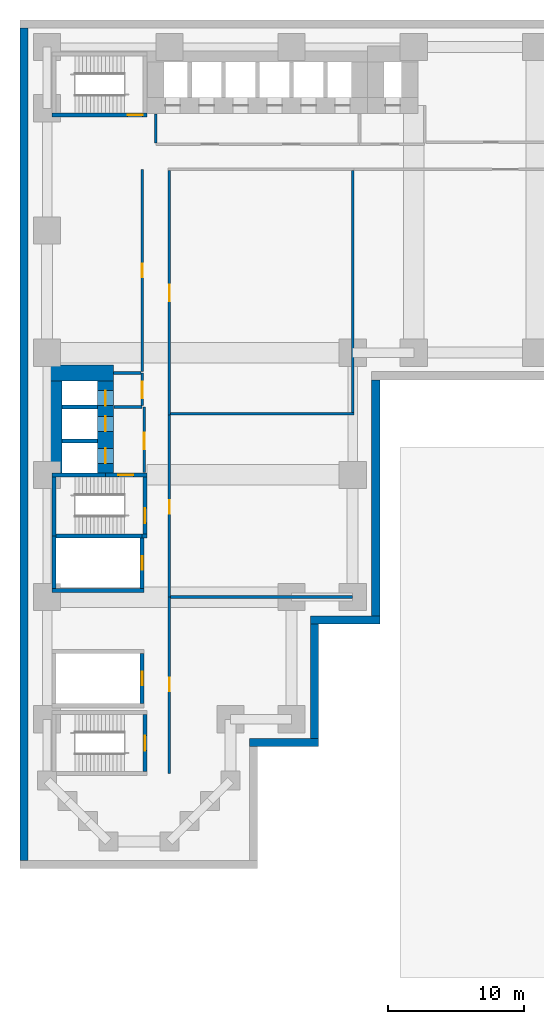
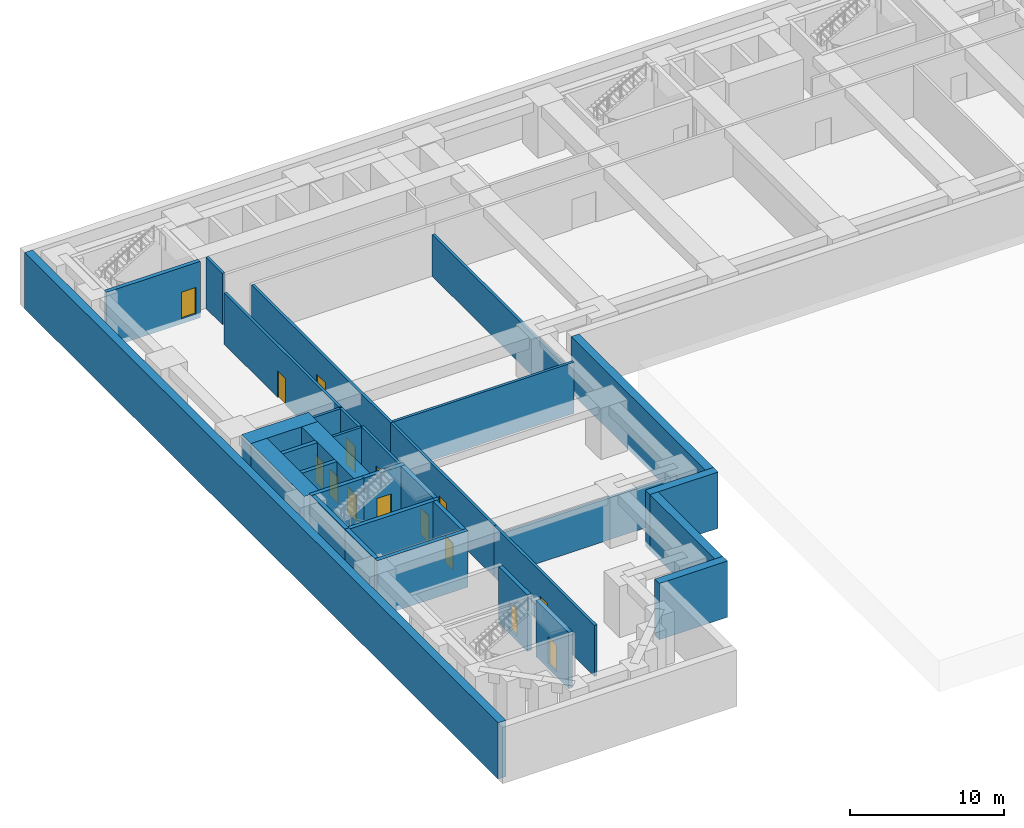
# One storey, part 4 of 12: 34 walls, 15 doors, 15 openings.
"""IFC4 building model written with IfcOpenShell, lengths in metres."""

from ifc_helpers import new_model, si_unit, direction, frame, frame_2d, origin, place, context, subcontext, project, spatial, rectangle, extrude, material, layer, layer_set, type_object, element, fill, save


model = new_model("IFC4")

# Units and contexts
model_context = context("Model", 3, precision=1e-05, world=origin(), true_north=direction((0.0, 1.0)))
body_context = subcontext(model_context, "Body", "Model", "MODEL_VIEW")
ifc_project = project(units=[si_unit("LENGTHUNIT", "METRE"), si_unit("AREAUNIT", "SQUARE_METRE"), si_unit("VOLUMEUNIT", "CUBIC_METRE"), si_unit("PLANEANGLEUNIT", "RADIAN"), si_unit("MASSUNIT", "GRAM", prefix="KILO")], contexts=[model_context])

# Site, building, storey
site_placement = place(None, origin())
site = spatial("IfcSite", under=ifc_project, at=site_placement, CompositionType="ELEMENT")
building_placement = place(site_placement, origin())
building = spatial("IfcBuilding", under=site, at=building_placement, Name="Firuza Court", CompositionType="ELEMENT")
storey_placement = place(building_placement, frame((0.0, 0.0, -4.5)))
storey = spatial("IfcBuildingStorey", under=building, at=storey_placement, Name="B1", CompositionType="ELEMENT", Elevation=-4.5)

# Walls
ifc_material_1 = material(Name="Concrete C35/45", Category="concrete")
ifc_layer_1 = layer(ifc_material_1, 1.199951171875)
ifc_layer_set_1 = layer_set([ifc_layer_1], Name="Concrete C35/45")
wall_type_1 = type_object("IfcWallType", Name="Basement core wall 1200", PredefinedType="SHEAR", material=ifc_layer_set_1)
wall_1_placement = place(storey_placement, frame((-0.10009765625, 34.5, -0.39990234375), z_axis=(0.0, 0.0, 1.0), x_axis=(1.0, 0.0, 0.0)))
element("IfcWall", 1, at=wall_1_placement, inside=storey, type_object=wall_type_1, Name="Core wall B1 012", PredefinedType="SHEAR", context=body_context, shape_type="SweptSolid", body=[
    extrude(rectangle(XDim=5.0, YDim=1.199951171875, at=frame_2d((2.5, 0.0))), origin(), (0.0, 0.0, 1.0), 4.449951171875),
])
wall_2_placement = place(storey_placement, frame((0.5, 27.0, -0.39990234375), z_axis=(0.0, 0.0, 1.0), x_axis=(0.0, 1.0, 0.0)))
element("IfcWall", 2, at=wall_2_placement, inside=storey, type_object=wall_type_1, Name="Core wall B1 031", PredefinedType="SHEAR", context=body_context, shape_type="SweptSolid", body=[
    extrude(rectangle(XDim=6.89990234375, YDim=1.199951171875, at=frame_2d((3.449951171875, 0.0))), origin(), (0.0, 0.0, 1.0), 4.449951171875),
])

# Wall, openings, doors
wall_3_placement = place(storey_placement, frame((4.300048828125, 27.14990234375, -0.39990234375), z_axis=(0.0, 0.0, 1.0), x_axis=(0.0, 1.0, 0.0)))
wall_3 = element("IfcWall", 3, at=wall_3_placement, inside=storey, type_object=wall_type_1, Name="Core wall B1 033", PredefinedType="SHEAR", context=body_context, shape_type="SweptSolid", body=[
    extrude(rectangle(XDim=6.75, YDim=1.199951171875, at=frame_2d((3.375, 0.0))), origin(), (0.0, 0.0, 1.0), 4.449951171875),
])
opening_1_placement = place(wall_3_placement, frame((3.050048828125, 0.0, 0.39990234375)))
opening_1 = element("IfcOpeningElement", 4, at=opening_1_placement, cuts=wall_3, Name="Opening LD-FL1-B1", PredefinedType="OPENING", context=body_context, shape_type="SweptSolid", body=[
    extrude(rectangle(XDim=1.10009765625, YDim=2.10009765625, at=frame_2d((0.550048828125, 1.050048828125))), frame((0.0, 0.61181640625, 0.0), z_axis=(0.0, -1.0, 0.0), x_axis=(1.0, 0.0, 0.0)), (0.0, 0.0, 1.0), 1.223876953125),
])
opening_2_placement = place(wall_3_placement, frame((0.699951171875, 0.0, 0.39990234375)))
opening_2 = element("IfcOpeningElement", 5, at=opening_2_placement, cuts=wall_3, Name="Opening LD-FL2-B1", PredefinedType="OPENING", context=body_context, shape_type="SweptSolid", body=[
    extrude(rectangle(XDim=1.10009765625, YDim=2.10009765625, at=frame_2d((0.550048828125, 1.050048828125))), frame((0.0, 0.61181640625, 0.0), z_axis=(0.0, -1.0, 0.0), x_axis=(1.0, 0.0, 0.0)), (0.0, 0.0, 1.0), 1.223876953125),
])
opening_3_placement = place(wall_3_placement, frame((4.949951171875, 0.0, 0.39990234375)))
opening_3 = element("IfcOpeningElement", 6, at=opening_3_placement, cuts=wall_3, Name="Opening LD-SL1-B1", PredefinedType="OPENING", context=body_context, shape_type="SweptSolid", body=[
    extrude(rectangle(XDim=1.10009765625, YDim=2.10009765625, at=frame_2d((0.550048828125, 1.050048828125))), frame((0.0, 0.61181640625, 0.0), z_axis=(0.0, -1.0, 0.0), x_axis=(1.0, 0.0, 0.0)), (0.0, 0.0, 1.0), 1.223876953125),
])
ifc_material_2 = material(Name="Stainless steel 1.4301 door leaf", Category="steel")
door_type_1 = type_object("IfcDoorType", Name="Lift landing door 1100", OperationType="SLIDING_TO_LEFT", PredefinedType="DOOR", material=ifc_material_2)
door_1_placement = place(opening_1_placement, origin())
door_1 = element("IfcDoor", 7, at=door_1_placement, inside=storey, type_object=door_type_1, Name="Landing door FL1", OperationType="SLIDING_TO_LEFT", OverallHeight=2.10009765625, OverallWidth=1.10009765625, PredefinedType="DOOR", context=body_context, shape_type="SweptSolid", body=[
    extrude(rectangle(XDim=1.10009765625, YDim=2.10009765625, at=frame_2d((0.550048828125, 1.050048828125))), frame((0.0, 0.02490234375, 0.0), z_axis=(0.0, -1.0, 0.0), x_axis=(1.0, 0.0, 0.0)), (0.0, 0.0, 1.0), 0.050048828125),
])
fill(opening_1, door_1)
door_2_placement = place(opening_2_placement, origin())
door_2 = element("IfcDoor", 8, at=door_2_placement, inside=storey, type_object=door_type_1, Name="Landing door FL2", OperationType="SLIDING_TO_LEFT", OverallHeight=2.10009765625, OverallWidth=1.10009765625, PredefinedType="DOOR", context=body_context, shape_type="SweptSolid", body=[
    extrude(rectangle(XDim=1.10009765625, YDim=2.10009765625, at=frame_2d((0.550048828125, 1.050048828125))), frame((0.0, 0.02490234375, 0.0), z_axis=(0.0, -1.0, 0.0), x_axis=(1.0, 0.0, 0.0)), (0.0, 0.0, 1.0), 0.050048828125),
])
fill(opening_2, door_2)
door_3_placement = place(opening_3_placement, origin())
door_3 = element("IfcDoor", 9, at=door_3_placement, inside=storey, type_object=door_type_1, Name="Landing door SL1", OperationType="SLIDING_TO_LEFT", OverallHeight=2.10009765625, OverallWidth=1.10009765625, PredefinedType="DOOR", context=body_context, shape_type="SweptSolid", body=[
    extrude(rectangle(XDim=1.10009765625, YDim=2.10009765625, at=frame_2d((0.550048828125, 1.050048828125))), frame((0.0, 0.02490234375, 0.0), z_axis=(0.0, -1.0, 0.0), x_axis=(1.0, 0.0, 0.0)), (0.0, 0.0, 1.0), 0.050048828125),
])
fill(opening_3, door_3)

# Walls
ifc_layer_2 = layer(ifc_material_1, 0.300048828125)
ifc_layer_set_2 = layer_set([ifc_layer_2], Name="Concrete C35/45")
wall_type_2 = type_object("IfcWallType", Name="Basement core wall 300", PredefinedType="SHEAR", material=ifc_layer_set_2)
wall_4_placement = place(storey_placement, frame((0.35009765625, 18.5, -0.39990234375), z_axis=(0.0, 0.0, 1.0), x_axis=(1.0, 0.0, 0.0)))
element("IfcWall", 10, at=wall_4_placement, inside=storey, type_object=wall_type_2, Name="Core wall B1 005", PredefinedType="SHEAR", context=body_context, shape_type="SweptSolid", body=[
    extrude(rectangle(XDim=6.7998046875, YDim=0.300048828125, at=frame_2d((3.39990234375, 0.0))), origin(), (0.0, 0.0, 1.0), 4.449951171875),
])
wall_5_placement = place(storey_placement, frame((0.35009765625, 22.5, -0.39990234375), z_axis=(0.0, 0.0, 1.0), x_axis=(1.0, 0.0, 0.0)))
element("IfcWall", 11, at=wall_5_placement, inside=storey, type_object=wall_type_2, Name="Core wall B1 006", PredefinedType="SHEAR", context=body_context, shape_type="SweptSolid", body=[
    extrude(rectangle(XDim=6.64990234375, YDim=0.300048828125, at=frame_2d((3.324951171875, 0.0))), origin(), (0.0, 0.0, 1.0), 4.449951171875),
])
wall_6_placement = place(storey_placement, frame((7.0, 22.5, -0.39990234375), z_axis=(0.0, 0.0, 1.0), x_axis=(1.0, 0.0, 0.0)))
element("IfcWall", 12, at=wall_6_placement, inside=storey, type_object=wall_type_2, Name="Core wall B1 007", PredefinedType="SHEAR", context=body_context, shape_type="SweptSolid", body=[
    extrude(rectangle(XDim=0.35009765625, YDim=0.300048828125, at=frame_2d((0.175048828125, 0.0))), origin(), (0.0, 0.0, 1.0), 4.449951171875),
])
wall_7_placement = place(storey_placement, frame((0.35009765625, 27.0, -0.39990234375), z_axis=(0.0, 0.0, 1.0), x_axis=(1.0, 0.0, 0.0)))
element("IfcWall", 13, at=wall_7_placement, inside=storey, type_object=wall_type_2, Name="Core wall B1 008", PredefinedType="SHEAR", context=body_context, shape_type="SweptSolid", body=[
    extrude(rectangle(XDim=3.949951171875, YDim=0.300048828125, at=frame_2d((1.97509765625, 0.0))), origin(), (0.0, 0.0, 1.0), 4.449951171875),
])

# Wall, opening, door
wall_8_placement = place(storey_placement, frame((4.300048828125, 27.0, -0.39990234375), z_axis=(0.0, 0.0, 1.0), x_axis=(1.0, 0.0, 0.0)))
wall_8 = element("IfcWall", 14, at=wall_8_placement, inside=storey, type_object=wall_type_2, Name="Core wall B1 009", PredefinedType="SHEAR", context=body_context, shape_type="SweptSolid", body=[
    extrude(rectangle(XDim=3.050048828125, YDim=0.300048828125, at=frame_2d((1.52490234375, 0.0))), origin(), (0.0, 0.0, 1.0), 4.449951171875),
])
opening_4_placement = place(wall_8_placement, frame((0.949951171875, 0.0, 0.39990234375)))
opening_4 = element("IfcOpeningElement", 15, at=opening_4_placement, cuts=wall_8, Name="Opening DB1011", PredefinedType="OPENING", context=body_context, shape_type="SweptSolid", body=[
    extrude(rectangle(XDim=1.10009765625, YDim=2.10009765625, at=frame_2d((0.550048828125, 1.050048828125))), frame((0.0, 0.162109375, 0.0), z_axis=(0.0, -1.0, 0.0), x_axis=(1.0, 0.0, 0.0)), (0.0, 0.0, 1.0), 0.323974609375),
])
ifc_material_3 = material(Name="Timber door leaf in hardwood frame", Category="wood")
door_type_2 = type_object("IfcDoorType", Name="Stair door 1100", OperationType="SINGLE_SWING_LEFT", PredefinedType="DOOR", material=ifc_material_3)
door_4_placement = place(opening_4_placement, frame((1.10009765625, 0.0, 0.0), z_axis=(0.0, 0.0, 1.0), x_axis=(-1.0, 0.0, 0.0)))
door_4 = element("IfcDoor", 16, at=door_4_placement, inside=storey, type_object=door_type_2, Name="Fire-fighting lobby door", OperationType="SINGLE_SWING_LEFT", OverallHeight=2.10009765625, OverallWidth=1.10009765625, PredefinedType="DOOR", context=body_context, shape_type="SweptSolid", body=[
    extrude(rectangle(XDim=1.10009765625, YDim=2.10009765625, at=frame_2d((0.550048828125, 1.050048828125))), frame((0.0, 0.02490234375, 0.0), z_axis=(0.0, -1.0, 0.0), x_axis=(1.0, 0.0, 0.0)), (0.0, 0.0, 1.0), 0.050048828125),
])
fill(opening_4, door_4)

# Walls
for number, where, z_axis, x_axis, name in (
    (17, (1.10009765625, 29.5, -0.39990234375), (0.0, 0.0, 1.0), (1.0, 0.0, 0.0), "Core wall B1 010"),
    (18, (1.10009765625, 32.0, -0.39990234375), (0.0, 0.0, 1.0), (1.0, 0.0, 0.0), "Core wall B1 011"),
):
    element("IfcWall", number, at=place(storey_placement, frame(where, z_axis=z_axis, x_axis=x_axis)), inside=storey, type_object=wall_type_2, Name=name, PredefinedType="SHEAR", context=body_context, shape_type="SweptSolid", body=[
        extrude(rectangle(XDim=2.599853515625, YDim=0.300048828125, at=frame_2d((1.2998046875, 0.0))), origin(), (0.0, 0.0, 1.0), 4.449951171875),
    ])

# Wall, opening, door
wall_9_placement = place(storey_placement, frame((0.35009765625, 53.5, -0.39990234375), z_axis=(0.0, 0.0, 1.0), x_axis=(1.0, 0.0, 0.0)))
wall_9 = element("IfcWall", 19, at=wall_9_placement, inside=storey, type_object=wall_type_2, Name="Core wall B1 013", PredefinedType="SHEAR", context=body_context, shape_type="SweptSolid", body=[
    extrude(rectangle(XDim=7.0, YDim=0.300048828125, at=frame_2d((3.5, 0.0))), origin(), (0.0, 0.0, 1.0), 4.449951171875),
])
opening_5_placement = place(wall_9_placement, frame((5.580078125, 0.0, 0.39990234375)))
opening_5 = element("IfcOpeningElement", 20, at=opening_5_placement, cuts=wall_9, Name="Opening DB1012", PredefinedType="OPENING", context=body_context, shape_type="SweptSolid", body=[
    extrude(rectangle(XDim=1.10009765625, YDim=2.10009765625, at=frame_2d((0.550048828125, 1.050048828125))), frame((0.0, 0.162109375, 0.0), z_axis=(0.0, -1.0, 0.0), x_axis=(1.0, 0.0, 0.0)), (0.0, 0.0, 1.0), 0.323974609375),
])
door_5_placement = place(opening_5_placement, frame((1.10009765625, 0.0, 0.0), z_axis=(0.0, 0.0, 1.0), x_axis=(-1.0, 0.0, 0.0)))
door_5 = element("IfcDoor", 21, at=door_5_placement, inside=storey, type_object=door_type_2, Name="Stair door S3", OperationType="SINGLE_SWING_RIGHT", OverallHeight=2.10009765625, OverallWidth=1.10009765625, PredefinedType="DOOR", context=body_context, shape_type="SweptSolid", body=[
    extrude(rectangle(XDim=1.10009765625, YDim=2.10009765625, at=frame_2d((0.550048828125, 1.050048828125))), frame((0.0, 0.02490234375, 0.0), z_axis=(0.0, -1.0, 0.0), x_axis=(1.0, 0.0, 0.0)), (0.0, 0.0, 1.0), 0.050048828125),
])
fill(opening_5, door_5)

# Walls
wall_10_placement = place(storey_placement, frame((0.5, 18.64990234375, -0.39990234375), z_axis=(0.0, 0.0, 1.0), x_axis=(0.0, 1.0, 0.0)))
element("IfcWall", 22, at=wall_10_placement, inside=storey, type_object=wall_type_2, Name="Core wall B1 029", PredefinedType="SHEAR", context=body_context, shape_type="SweptSolid", body=[
    extrude(rectangle(XDim=3.85009765625, YDim=0.300048828125, at=frame_2d((1.925048828125, 0.0))), origin(), (0.0, 0.0, 1.0), 4.449951171875),
])
wall_11_placement = place(storey_placement, frame((0.5, 22.5, -0.39990234375), z_axis=(0.0, 0.0, 1.0), x_axis=(0.0, 1.0, 0.0)))
element("IfcWall", 23, at=wall_11_placement, inside=storey, type_object=wall_type_2, Name="Core wall B1 030", PredefinedType="SHEAR", context=body_context, shape_type="SweptSolid", body=[
    extrude(rectangle(XDim=4.5, YDim=0.300048828125, at=frame_2d((2.25, 0.0))), origin(), (0.0, 0.0, 1.0), 4.449951171875),
])

# Wall, opening, door
wall_12_placement = place(storey_placement, frame((7.0, 10.14990234375, -0.39990234375), z_axis=(0.0, 0.0, 1.0), x_axis=(0.0, 1.0, 0.0)))
wall_12 = element("IfcWall", 24, at=wall_12_placement, inside=storey, type_object=wall_type_2, Name="Core wall B1 034", PredefinedType="SHEAR", context=body_context, shape_type="SweptSolid", body=[
    extrude(rectangle(XDim=3.7001953125, YDim=0.300048828125, at=frame_2d((1.85009765625, 0.0))), origin(), (0.0, 0.0, 1.0), 4.449951171875),
])
opening_6_placement = place(wall_12_placement, frame((1.35009765625, 0.0, 0.39990234375)))
opening_6 = element("IfcOpeningElement", 25, at=opening_6_placement, cuts=wall_12, Name="Opening DB1008", PredefinedType="OPENING", context=body_context, shape_type="SweptSolid", body=[
    extrude(rectangle(XDim=1.0, YDim=2.10009765625, at=frame_2d((0.5, 1.050048828125))), frame((0.0, 0.162109375, 0.0), z_axis=(0.0, -1.0, 0.0), x_axis=(1.0, 0.0, 0.0)), (0.0, 0.0, 1.0), 0.323974609375),
])
ifc_material_4 = material(Name="Timber door leaf in hardwood frame", Category="wood")
door_type_3 = type_object("IfcDoorType", Name="Riser door 1000", OperationType="SINGLE_SWING_LEFT", PredefinedType="DOOR", material=ifc_material_4)
door_6_placement = place(opening_6_placement, origin())
door_6 = element("IfcDoor", 26, at=door_6_placement, inside=storey, type_object=door_type_3, Name="Riser door R4", OperationType="SINGLE_SWING_LEFT", OverallHeight=2.10009765625, OverallWidth=1.0, PredefinedType="DOOR", context=body_context, shape_type="SweptSolid", body=[
    extrude(rectangle(XDim=1.0, YDim=2.10009765625, at=frame_2d((0.5, 1.050048828125))), frame((0.0, 0.02490234375, 0.0), z_axis=(0.0, -1.0, 0.0), x_axis=(1.0, 0.0, 0.0)), (0.0, 0.0, 1.0), 0.050048828125),
])
fill(opening_6, door_6)

wall_13_placement = place(storey_placement, frame((7.0, 18.64990234375, -0.39990234375), z_axis=(0.0, 0.0, 1.0), x_axis=(0.0, 1.0, 0.0)))
wall_13 = element("IfcWall", 27, at=wall_13_placement, inside=storey, type_object=wall_type_2, Name="Core wall B1 035", PredefinedType="SHEAR", context=body_context, shape_type="SweptSolid", body=[
    extrude(rectangle(XDim=3.7001953125, YDim=0.300048828125, at=frame_2d((1.85009765625, 0.0))), origin(), (0.0, 0.0, 1.0), 4.449951171875),
])
opening_7_placement = place(wall_13_placement, frame((1.35009765625, 0.0, 0.39990234375)))
opening_7 = element("IfcOpeningElement", 28, at=opening_7_placement, cuts=wall_13, Name="Opening DB1006", PredefinedType="OPENING", context=body_context, shape_type="SweptSolid", body=[
    extrude(rectangle(XDim=1.0, YDim=2.10009765625, at=frame_2d((0.5, 1.050048828125))), frame((0.0, 0.162109375, 0.0), z_axis=(0.0, -1.0, 0.0), x_axis=(1.0, 0.0, 0.0)), (0.0, 0.0, 1.0), 0.323974609375),
])
door_7_placement = place(opening_7_placement, origin())
door_7 = element("IfcDoor", 29, at=door_7_placement, inside=storey, type_object=door_type_3, Name="Riser door R1", OperationType="SINGLE_SWING_LEFT", OverallHeight=2.10009765625, OverallWidth=1.0, PredefinedType="DOOR", context=body_context, shape_type="SweptSolid", body=[
    extrude(rectangle(XDim=1.0, YDim=2.10009765625, at=frame_2d((0.5, 1.050048828125))), frame((0.0, 0.02490234375, 0.0), z_axis=(0.0, -1.0, 0.0), x_axis=(1.0, 0.0, 0.0)), (0.0, 0.0, 1.0), 0.050048828125),
])
fill(opening_7, door_7)

wall_14_placement = place(storey_placement, frame((7.199951171875, 5.14990234375, -0.39990234375), z_axis=(0.0, 0.0, 1.0), x_axis=(0.0, 1.0, 0.0)))
wall_14 = element("IfcWall", 30, at=wall_14_placement, inside=storey, type_object=wall_type_2, Name="Core wall B1 036", PredefinedType="SHEAR", context=body_context, shape_type="SweptSolid", body=[
    extrude(rectangle(XDim=4.2001953125, YDim=0.300048828125, at=frame_2d((2.10009765625, 0.0))), origin(), (0.0, 0.0, 1.0), 4.449951171875),
])
opening_8_placement = place(wall_14_placement, frame((1.550048828125, 0.0, 0.39990234375)))
opening_8 = element("IfcOpeningElement", 31, at=opening_8_placement, cuts=wall_14, Name="Opening DB1014", PredefinedType="OPENING", context=body_context, shape_type="SweptSolid", body=[
    extrude(rectangle(XDim=1.10009765625, YDim=2.10009765625, at=frame_2d((0.550048828125, 1.050048828125))), frame((0.0, 0.162109375, 0.0), z_axis=(0.0, -1.0, 0.0), x_axis=(1.0, 0.0, 0.0)), (0.0, 0.0, 1.0), 0.323974609375),
])
door_8_placement = place(opening_8_placement, origin())
door_8 = element("IfcDoor", 32, at=door_8_placement, inside=storey, type_object=door_type_2, Name="Stair door S5", OperationType="SINGLE_SWING_LEFT", OverallHeight=2.10009765625, OverallWidth=1.10009765625, PredefinedType="DOOR", context=body_context, shape_type="SweptSolid", body=[
    extrude(rectangle(XDim=1.10009765625, YDim=2.10009765625, at=frame_2d((0.550048828125, 1.050048828125))), frame((0.0, 0.02490234375, 0.0), z_axis=(0.0, -1.0, 0.0), x_axis=(1.0, 0.0, 0.0)), (0.0, 0.0, 1.0), 0.050048828125),
])
fill(opening_8, door_8)

wall_15_placement = place(storey_placement, frame((7.199951171875, 22.64990234375, -0.39990234375), z_axis=(0.0, 0.0, 1.0), x_axis=(0.0, 1.0, 0.0)))
wall_15 = element("IfcWall", 33, at=wall_15_placement, inside=storey, type_object=wall_type_2, Name="Core wall B1 037", PredefinedType="SHEAR", context=body_context, shape_type="SweptSolid", body=[
    extrude(rectangle(XDim=4.2001953125, YDim=0.300048828125, at=frame_2d((2.10009765625, 0.0))), origin(), (0.0, 0.0, 1.0), 4.449951171875),
])
opening_9_placement = place(wall_15_placement, frame((0.800048828125, 0.0, 0.39990234375)))
opening_9 = element("IfcOpeningElement", 34, at=opening_9_placement, cuts=wall_15, Name="Opening DB1010", PredefinedType="OPENING", context=body_context, shape_type="SweptSolid", body=[
    extrude(rectangle(XDim=1.10009765625, YDim=2.10009765625, at=frame_2d((0.550048828125, 1.050048828125))), frame((0.0, 0.162109375, 0.0), z_axis=(0.0, -1.0, 0.0), x_axis=(1.0, 0.0, 0.0)), (0.0, 0.0, 1.0), 0.323974609375),
])
door_9_placement = place(opening_9_placement, origin())
door_9 = element("IfcDoor", 35, at=door_9_placement, inside=storey, type_object=door_type_2, Name="Stair door S2", OperationType="SINGLE_SWING_LEFT", OverallHeight=2.10009765625, OverallWidth=1.10009765625, PredefinedType="DOOR", context=body_context, shape_type="SweptSolid", body=[
    extrude(rectangle(XDim=1.10009765625, YDim=2.10009765625, at=frame_2d((0.550048828125, 1.050048828125))), frame((0.0, 0.02490234375, 0.0), z_axis=(0.0, -1.0, 0.0), x_axis=(1.0, 0.0, 0.0)), (0.0, 0.0, 1.0), 0.050048828125),
])
fill(opening_9, door_9)

ifc_material_5 = material(Name="Blockwork, fire-rated", Category="masonry")
ifc_layer_3 = layer(ifc_material_5, 0.199951171875)
ifc_layer_set_3 = layer_set([ifc_layer_3], Name="Blockwork, fire-rated")
wall_type_3 = type_object("IfcWallType", Name="Plant room wall 200", PredefinedType="PARTITIONING", material=ifc_layer_set_3)
wall_16_placement = place(storey_placement, frame((9.0, 5.0, 0.0), z_axis=(0.0, 0.0, 1.0), x_axis=(0.0, 1.0, 0.0)))
wall_16 = element("IfcWall", 36, at=wall_16_placement, inside=storey, type_object=wall_type_3, Name="Plant room wall 200 B1", PredefinedType="PARTITIONING", context=body_context, shape_type="SweptSolid", body=[
    extrude(rectangle(XDim=13.0, YDim=0.199951171875, at=frame_2d((6.5, 0.0))), origin(), (0.0, 0.0, 1.0), 4.050048828125),
])
opening_10_placement = place(wall_16_placement, frame((6.050048828125, 0.0, 0.0)))
opening_10 = element("IfcOpeningElement", 37, at=opening_10_placement, cuts=wall_16, Name="Opening DB1015", PredefinedType="OPENING", context=body_context, shape_type="SweptSolid", body=[
    extrude(rectangle(XDim=1.0, YDim=2.10009765625, at=frame_2d((0.5, 1.050048828125))), frame((0.0, 0.11181640625, 0.0), z_axis=(0.0, -1.0, 0.0), x_axis=(1.0, 0.0, 0.0)), (0.0, 0.0, 1.0), 0.223876953125),
])
ifc_material_6 = material(Name="Timber door leaf in hardwood frame", Category="wood")
door_type_4 = type_object("IfcDoorType", Name="Store door 1000", OperationType="SINGLE_SWING_LEFT", PredefinedType="DOOR", material=ifc_material_6)
door_10_placement = place(opening_10_placement, frame((1.0, 0.0, 0.0), z_axis=(0.0, 0.0, 1.0), x_axis=(-1.0, 0.0, 0.0)))
door_10 = element("IfcDoor", 38, at=door_10_placement, inside=storey, type_object=door_type_4, Name="Store door", OperationType="SINGLE_SWING_LEFT", OverallHeight=2.10009765625, OverallWidth=1.0, PredefinedType="DOOR", context=body_context, shape_type="SweptSolid", body=[
    extrude(rectangle(XDim=1.0, YDim=2.10009765625, at=frame_2d((0.5, 1.050048828125))), frame((0.0, 0.02490234375, 0.0), z_axis=(0.0, -1.0, 0.0), x_axis=(1.0, 0.0, 0.0)), (0.0, 0.0, 1.0), 0.050048828125),
])
fill(opening_10, door_10)

wall_17_placement = place(storey_placement, frame((9.0, 18.0, 0.0), z_axis=(0.0, 0.0, 1.0), x_axis=(0.0, 1.0, 0.0)))
wall_17 = element("IfcWall", 39, at=wall_17_placement, inside=storey, type_object=wall_type_3, Name="Plant room wall 200 B1", PredefinedType="PARTITIONING", context=body_context, shape_type="SweptSolid", body=[
    extrude(rectangle(XDim=13.39990234375, YDim=0.199951171875, at=frame_2d((6.699951171875, 0.0))), origin(), (0.0, 0.0, 1.0), 4.050048828125),
])
opening_11_placement = place(wall_17_placement, frame((6.14990234375, 0.0, 0.0)))
opening_11 = element("IfcOpeningElement", 40, at=opening_11_placement, cuts=wall_17, Name="Opening DB1016", PredefinedType="OPENING", context=body_context, shape_type="SweptSolid", body=[
    extrude(rectangle(XDim=1.0, YDim=2.10009765625, at=frame_2d((0.5, 1.050048828125))), frame((0.0, 0.11181640625, 0.0), z_axis=(0.0, -1.0, 0.0), x_axis=(1.0, 0.0, 0.0)), (0.0, 0.0, 1.0), 0.223876953125),
])
door_11_placement = place(opening_11_placement, frame((1.0, 0.0, 0.0), z_axis=(0.0, 0.0, 1.0), x_axis=(-1.0, 0.0, 0.0)))
door_11 = element("IfcDoor", 41, at=door_11_placement, inside=storey, type_object=door_type_4, Name="Store door", OperationType="SINGLE_SWING_RIGHT", OverallHeight=2.10009765625, OverallWidth=1.0, PredefinedType="DOOR", context=body_context, shape_type="SweptSolid", body=[
    extrude(rectangle(XDim=1.0, YDim=2.10009765625, at=frame_2d((0.5, 1.050048828125))), frame((0.0, 0.02490234375, 0.0), z_axis=(0.0, -1.0, 0.0), x_axis=(1.0, 0.0, 0.0)), (0.0, 0.0, 1.0), 0.050048828125),
])
fill(opening_11, door_11)

# Wall
wall_18_placement = place(storey_placement, frame((22.5, 18.0, 0.0), z_axis=(0.0, 0.0, 1.0), x_axis=(-1.0, 0.0, 0.0)))
element("IfcWall", 42, at=wall_18_placement, inside=storey, type_object=wall_type_3, Name="Plant room wall 200 B1", PredefinedType="PARTITIONING", context=body_context, shape_type="SweptSolid", body=[
    extrude(rectangle(XDim=13.39990234375, YDim=0.199951171875, at=frame_2d((6.699951171875, 0.0))), origin(), (0.0, 0.0, 1.0), 3.300048828125),
])

# Wall, opening, door
wall_19_placement = place(storey_placement, frame((9.0, 31.39990234375, 0.0), z_axis=(0.0, 0.0, 1.0), x_axis=(0.0, 1.0, 0.0)))
wall_19 = element("IfcWall", 43, at=wall_19_placement, inside=storey, type_object=wall_type_3, Name="Plant room wall 200 B1", PredefinedType="PARTITIONING", context=body_context, shape_type="SweptSolid", body=[
    extrude(rectangle(XDim=18.0, YDim=0.199951171875, at=frame_2d((9.0, 0.0))), origin(), (0.0, 0.0, 1.0), 4.050048828125),
])
opening_12_placement = place(wall_19_placement, frame((8.39990234375, 0.0, 0.0)))
opening_12 = element("IfcOpeningElement", 44, at=opening_12_placement, cuts=wall_19, Name="Opening DB1017", PredefinedType="OPENING", context=body_context, shape_type="SweptSolid", body=[
    extrude(rectangle(XDim=1.199951171875, YDim=2.10009765625, at=frame_2d((0.60009765625, 1.050048828125))), frame((0.0, 0.11181640625, 0.0), z_axis=(0.0, -1.0, 0.0), x_axis=(1.0, 0.0, 0.0)), (0.0, 0.0, 1.0), 0.223876953125),
])
ifc_material_7 = material(Name="Timber door leaf in hardwood frame", Category="wood")
door_type_5 = type_object("IfcDoorType", Name="Plant room door 1200", OperationType="SINGLE_SWING_LEFT", PredefinedType="DOOR", material=ifc_material_7)
door_12_placement = place(opening_12_placement, frame((1.199951171875, 0.0, 0.0), z_axis=(0.0, 0.0, 1.0), x_axis=(-1.0, 0.0, 0.0)))
door_12 = element("IfcDoor", 45, at=door_12_placement, inside=storey, type_object=door_type_5, Name="Plant door", OperationType="SINGLE_SWING_RIGHT", OverallHeight=2.10009765625, OverallWidth=1.199951171875, PredefinedType="DOOR", context=body_context, shape_type="SweptSolid", body=[
    extrude(rectangle(XDim=1.199951171875, YDim=2.10009765625, at=frame_2d((0.60009765625, 1.050048828125))), frame((0.0, 0.02490234375, 0.0), z_axis=(0.0, -1.0, 0.0), x_axis=(1.0, 0.0, 0.0)), (0.0, 0.0, 1.0), 0.050048828125),
])
fill(opening_12, door_12)

# Wall
wall_20_placement = place(storey_placement, frame((22.60009765625, 31.5, 0.0), z_axis=(0.0, 0.0, 1.0), x_axis=(-1.0, 0.0, 0.0)))
element("IfcWall", 46, at=wall_20_placement, inside=storey, type_object=wall_type_3, Name="Plant room wall 200 B1", PredefinedType="PARTITIONING", context=body_context, shape_type="SweptSolid", body=[
    extrude(rectangle(XDim=13.5, YDim=0.199951171875, at=frame_2d((6.75, 0.0))), origin(), (0.0, 0.0, 1.0), 4.050048828125),
])

# Wall, opening, door
wall_21_placement = place(storey_placement, frame((7.0, 49.5, 0.0), z_axis=(0.0, 0.0, 1.0), x_axis=(0.0, -1.0, 0.0)))
wall_21 = element("IfcWall", 47, at=wall_21_placement, inside=storey, type_object=wall_type_3, Name="Plant room wall 200 B1", PredefinedType="PARTITIONING", context=body_context, shape_type="SweptSolid", body=[
    extrude(rectangle(XDim=14.89990234375, YDim=0.199951171875, at=frame_2d((7.449951171875, 0.0))), origin(), (0.0, 0.0, 1.0), 4.050048828125),
])
opening_13_placement = place(wall_21_placement, frame((6.949951171875, 0.0, 0.0)))
opening_13 = element("IfcOpeningElement", 48, at=opening_13_placement, cuts=wall_21, Name="Opening DB1018", PredefinedType="OPENING", context=body_context, shape_type="SweptSolid", body=[
    extrude(rectangle(XDim=1.0, YDim=2.10009765625, at=frame_2d((0.5, 1.050048828125))), frame((0.0, 0.11181640625, 0.0), z_axis=(0.0, -1.0, 0.0), x_axis=(1.0, 0.0, 0.0)), (0.0, 0.0, 1.0), 0.223876953125),
])
door_13_placement = place(opening_13_placement, frame((1.0, 0.0, 0.0), z_axis=(0.0, 0.0, 1.0), x_axis=(-1.0, 0.0, 0.0)))
door_13 = element("IfcDoor", 49, at=door_13_placement, inside=storey, type_object=door_type_4, Name="Store door", OperationType="SINGLE_SWING_RIGHT", OverallHeight=2.10009765625, OverallWidth=1.0, PredefinedType="DOOR", context=body_context, shape_type="SweptSolid", body=[
    extrude(rectangle(XDim=1.0, YDim=2.10009765625, at=frame_2d((0.5, 1.050048828125))), frame((0.0, 0.02490234375, 0.0), z_axis=(0.0, -1.0, 0.0), x_axis=(1.0, 0.0, 0.0)), (0.0, 0.0, 1.0), 0.050048828125),
])
fill(opening_13, door_13)

# Walls
wall_22_placement = place(storey_placement, frame((22.5, 49.39990234375, 0.0), z_axis=(0.0, 0.0, 1.0), x_axis=(0.0, -1.0, 0.0)))
element("IfcWall", 50, at=wall_22_placement, inside=storey, type_object=wall_type_3, Name="Plant room wall 200 B1", PredefinedType="PARTITIONING", context=body_context, shape_type="SweptSolid", body=[
    extrude(rectangle(XDim=17.7998046875, YDim=0.199951171875, at=frame_2d((8.89990234375, 0.0))), origin(), (0.0, 0.0, 1.0), 3.300048828125),
])
ifc_layer_4 = layer(ifc_material_1, 0.60009765625)
ifc_layer_set_4 = layer_set([ifc_layer_4], Name="Concrete C35/45")
wall_type_4 = type_object("IfcWallType", Name="Retaining wall 600", PredefinedType="SOLIDWALL", material=ifc_layer_set_4)
wall_23_placement = place(storey_placement, frame((-1.699951171875, -1.39990234375, -0.39990234375), z_axis=(0.0, 0.0, 1.0), x_axis=(0.0, 1.0, 0.0)))
element("IfcWall", 51, at=wall_23_placement, inside=storey, type_object=wall_type_4, Name="Basement retaining wall B1 01", PredefinedType="SOLIDWALL", context=body_context, shape_type="SweptSolid", body=[
    extrude(rectangle(XDim=61.2998046875, YDim=0.60009765625, at=frame_2d((30.64990234375, 0.0))), origin(), (0.0, 0.0, 1.0), 4.449951171875),
])
wall_24_placement = place(storey_placement, frame((24.199951171875, 34.0, -0.39990234375), z_axis=(0.0, 0.0, 1.0), x_axis=(0.0, -1.0, 0.0)))
element("IfcWall", 52, at=wall_24_placement, inside=storey, type_object=wall_type_4, Name="Basement retaining wall B1 05", PredefinedType="SOLIDWALL", context=body_context, shape_type="SweptSolid", body=[
    extrude(rectangle(XDim=17.39990234375, YDim=0.60009765625, at=frame_2d((8.699951171875, 0.0))), origin(), (0.0, 0.0, 1.0), 4.449951171875),
])
wall_25_placement = place(storey_placement, frame((24.5, 16.300048828125, -0.39990234375), z_axis=(0.0, 0.0, 1.0), x_axis=(-1.0, 0.0, 0.0)))
element("IfcWall", 53, at=wall_25_placement, inside=storey, type_object=wall_type_4, Name="Basement retaining wall B1 06", PredefinedType="SOLIDWALL", context=body_context, shape_type="SweptSolid", body=[
    extrude(rectangle(XDim=5.10009765625, YDim=0.60009765625, at=frame_2d((2.550048828125, 0.0))), origin(), (0.0, 0.0, 1.0), 4.449951171875),
])
wall_26_placement = place(storey_placement, frame((19.699951171875, 16.0, -0.39990234375), z_axis=(0.0, 0.0, 1.0), x_axis=(0.0, -1.0, 0.0)))
element("IfcWall", 54, at=wall_26_placement, inside=storey, type_object=wall_type_4, Name="Basement retaining wall B1 07", PredefinedType="SOLIDWALL", context=body_context, shape_type="SweptSolid", body=[
    extrude(rectangle(XDim=8.39990234375, YDim=0.60009765625, at=frame_2d((4.199951171875, 0.0))), origin(), (0.0, 0.0, 1.0), 4.449951171875),
])
wall_27_placement = place(storey_placement, frame((20.0, 7.300048828125, -0.39990234375), z_axis=(0.0, 0.0, 1.0), x_axis=(-1.0, 0.0, 0.0)))
element("IfcWall", 55, at=wall_27_placement, inside=storey, type_object=wall_type_4, Name="Basement retaining wall B1 08", PredefinedType="SOLIDWALL", context=body_context, shape_type="SweptSolid", body=[
    extrude(rectangle(XDim=5.10009765625, YDim=0.60009765625, at=frame_2d((2.550048828125, 0.0))), origin(), (0.0, 0.0, 1.0), 4.449951171875),
])
ifc_layer_5 = layer(ifc_material_5, 0.199951171875)
ifc_layer_set_5 = layer_set([ifc_layer_5], Name="Blockwork, fire-rated")
wall_type_5 = type_object("IfcWallType", Name="Shaft wall 200", PredefinedType="PARTITIONING", material=ifc_layer_set_5)
wall_28_placement = place(storey_placement, frame((8.0, 51.449951171875, 0.0), z_axis=(0.0, 0.0, 1.0), x_axis=(0.0, 1.0, 0.0)))
element("IfcWall", 56, at=wall_28_placement, inside=storey, type_object=wall_type_5, Name="Shaft wall 200 B1", PredefinedType="PARTITIONING", context=body_context, shape_type="SweptSolid", body=[
    extrude(rectangle(XDim=2.130126953125, YDim=0.199951171875, at=frame_2d((1.06494140625, 0.0))), origin(), (0.0, 0.0, 1.0), 4.050048828125),
])
wall_29_placement = place(storey_placement, frame((4.919921875, 32.0, 0.0), z_axis=(0.0, 0.0, 1.0), x_axis=(1.0, 0.0, 0.0)))
element("IfcWall", 57, at=wall_29_placement, inside=storey, type_object=wall_type_5, Name="Shaft wall 200 B1", PredefinedType="PARTITIONING", context=body_context, shape_type="SweptSolid", body=[
    extrude(rectangle(XDim=2.080078125, YDim=0.199951171875, at=frame_2d((1.0400390625, 0.0))), origin(), (0.0, 0.0, 1.0), 4.050048828125),
])

# Wall, opening, door
wall_30_placement = place(storey_placement, frame((7.0, 32.10009765625, 0.0), z_axis=(0.0, 0.0, 1.0), x_axis=(0.0, 1.0, 0.0)))
wall_30 = element("IfcWall", 58, at=wall_30_placement, inside=storey, type_object=wall_type_5, Name="Shaft wall 200 B1", PredefinedType="PARTITIONING", context=body_context, shape_type="SweptSolid", body=[
    extrude(rectangle(XDim=2.39990234375, YDim=0.199951171875, at=frame_2d((1.199951171875, 0.0))), origin(), (0.0, 0.0, 1.0), 4.050048828125),
])
opening_14_placement = place(wall_30_placement, frame((0.550048828125, 0.0, 0.0)))
opening_14 = element("IfcOpeningElement", 59, at=opening_14_placement, cuts=wall_30, Name="Opening DB1005", PredefinedType="OPENING", context=body_context, shape_type="SweptSolid", body=[
    extrude(rectangle(XDim=1.199951171875, YDim=2.10009765625, at=frame_2d((0.60009765625, 1.050048828125))), frame((0.0, 0.11181640625, 0.0), z_axis=(0.0, -1.0, 0.0), x_axis=(1.0, 0.0, 0.0)), (0.0, 0.0, 1.0), 0.223876953125),
])
ifc_material_8 = material(Name="Timber door leaf in hardwood frame", Category="wood")
door_type_6 = type_object("IfcDoorType", Name="Lobby door 1200", OperationType="SINGLE_SWING_LEFT", PredefinedType="DOOR", material=ifc_material_8)
door_14_placement = place(opening_14_placement, origin())
door_14 = element("IfcDoor", 60, at=door_14_placement, inside=storey, type_object=door_type_6, Name="Lobby door", OperationType="SINGLE_SWING_LEFT", OverallHeight=2.10009765625, OverallWidth=1.199951171875, PredefinedType="DOOR", context=body_context, shape_type="SweptSolid", body=[
    extrude(rectangle(XDim=1.199951171875, YDim=2.10009765625, at=frame_2d((0.60009765625, 1.050048828125))), frame((0.0, 0.02490234375, 0.0), z_axis=(0.0, -1.0, 0.0), x_axis=(1.0, 0.0, 0.0)), (0.0, 0.0, 1.0), 0.050048828125),
])
fill(opening_14, door_14)

# Wall
wall_31_placement = place(storey_placement, frame((4.89990234375, 34.5, 0.0), z_axis=(0.0, 0.0, 1.0), x_axis=(1.0, 0.0, 0.0)))
element("IfcWall", 61, at=wall_31_placement, inside=storey, type_object=wall_type_5, Name="Shaft wall 200 B1", PredefinedType="PARTITIONING", context=body_context, shape_type="SweptSolid", body=[
    extrude(rectangle(XDim=2.0, YDim=0.199951171875, at=frame_2d((1.0, 0.0))), origin(), (0.0, 0.0, 1.0), 4.050048828125),
])

# Wall, opening, door
wall_32_placement = place(storey_placement, frame((7.14990234375, 27.169921875, 0.0), z_axis=(0.0, 0.0, 1.0), x_axis=(0.0, 1.0, 0.0)))
wall_32 = element("IfcWall", 62, at=wall_32_placement, inside=storey, type_object=wall_type_5, Name="Shaft wall 200 B1", PredefinedType="PARTITIONING", context=body_context, shape_type="SweptSolid", body=[
    extrude(rectangle(XDim=4.830078125, YDim=0.199951171875, at=frame_2d((2.4150390625, 0.0))), origin(), (0.0, 0.0, 1.0), 4.050048828125),
])
opening_15_placement = place(wall_32_placement, frame((1.72998046875, 0.0, 0.0)))
opening_15 = element("IfcOpeningElement", 63, at=opening_15_placement, cuts=wall_32, Name="Opening DB1001", PredefinedType="OPENING", context=body_context, shape_type="SweptSolid", body=[
    extrude(rectangle(XDim=1.199951171875, YDim=2.10009765625, at=frame_2d((0.60009765625, 1.050048828125))), frame((0.0, 0.11181640625, 0.0), z_axis=(0.0, -1.0, 0.0), x_axis=(1.0, 0.0, 0.0)), (0.0, 0.0, 1.0), 0.223876953125),
])
door_15_placement = place(opening_15_placement, origin())
door_15 = element("IfcDoor", 64, at=door_15_placement, inside=storey, type_object=door_type_6, Name="Fire-fighting lobby door", OperationType="SINGLE_SWING_LEFT", OverallHeight=2.10009765625, OverallWidth=1.199951171875, PredefinedType="DOOR", context=body_context, shape_type="SweptSolid", body=[
    extrude(rectangle(XDim=1.199951171875, YDim=2.10009765625, at=frame_2d((0.60009765625, 1.050048828125))), frame((0.0, 0.02490234375, 0.0), z_axis=(0.0, -1.0, 0.0), x_axis=(1.0, 0.0, 0.0)), (0.0, 0.0, 1.0), 0.050048828125),
])
fill(opening_15, door_15)

save(model, "model.ifc")
